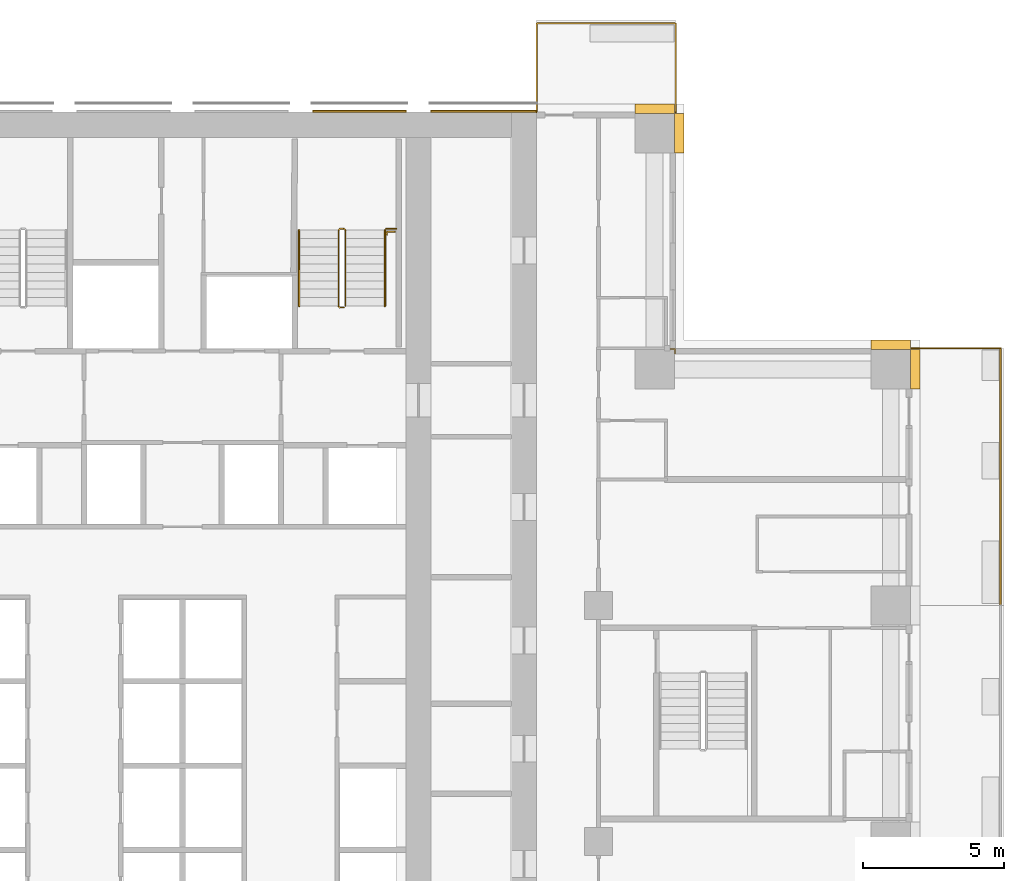
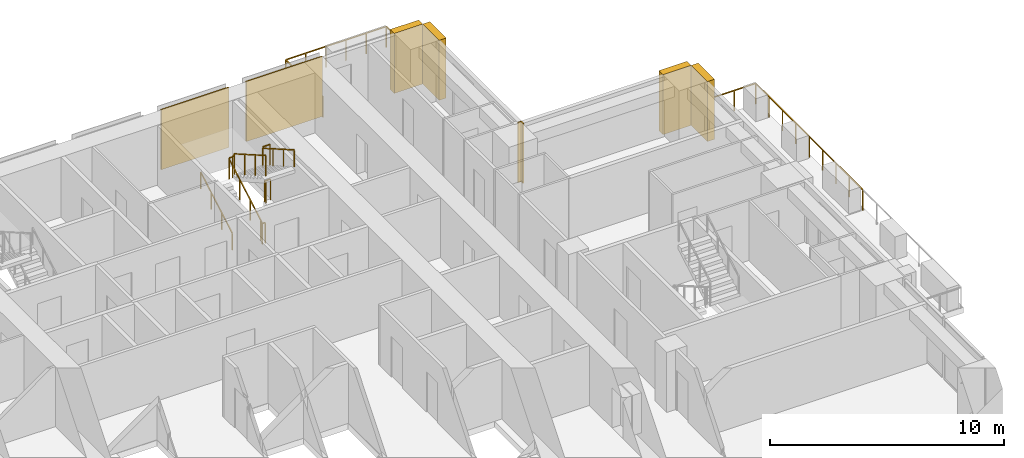
# One storey, part 17 of 17: 7 coverings, 7 railings.
"""IFC4 building model written with IfcOpenShell, lengths in metres."""

from ifc_helpers import new_model, si_unit, direction, frame, origin, origin_2d, place, context, subcontext, project, spatial, polyline, rectangle, outline, extrude, material, type_object, element, save


model = new_model("IFC4")

# Units and contexts
model_context = context("Model", 3, precision=1e-05, world=origin(), true_north=direction((0.0, 1.0)))
body_context = subcontext(model_context, "Body", "Model", "MODEL_VIEW")
ifc_project = project(units=[si_unit("LENGTHUNIT", "METRE"), si_unit("AREAUNIT", "SQUARE_METRE"), si_unit("VOLUMEUNIT", "CUBIC_METRE"), si_unit("PLANEANGLEUNIT", "RADIAN"), si_unit("MASSUNIT", "GRAM", prefix="KILO")], contexts=[model_context])

# Site, building, storey
site_placement = place(None, origin())
site = spatial("IfcSite", under=ifc_project, at=site_placement, CompositionType="ELEMENT")
building_placement = place(site_placement, origin())
building = spatial("IfcBuilding", under=site, at=building_placement, Name="Vermilion Ogive Tower", CompositionType="ELEMENT")
storey_placement = place(building_placement, frame((0.0, 0.0, 58.64990234375)))
storey = spatial("IfcBuildingStorey", under=building, at=storey_placement, Name="L13", CompositionType="ELEMENT", Elevation=58.64990234375)

# Railings
ifc_material_1 = material(Name="Stainless steel and glass", Category="steel")
railing_type_1 = type_object("IfcRailingType", Name="Balcony guard", PredefinedType="GUARDRAIL", material=ifc_material_1)
railing_1_placement = place(storey_placement, frame((29.110107421875, 4.199951171875, -0.039794921875)))
element("IfcRailing", 1, at=railing_1_placement, inside=storey, type_object=railing_type_1, Name="Guard E03", PredefinedType="GUARDRAIL", context=body_context, shape_type="SweptSolid", body=[
    extrude(rectangle(XDim=0.048095703125, YDim=0.048095703125, at=origin_2d()), frame((0.0, 0.0, 1.076171875), z_axis=(0.0, 1.0, 0.0), x_axis=(-1.0, 0.0, 0.0)), (0.0, 0.0, 1.0), 9.150146484375),
    extrude(rectangle(XDim=0.048095703125, YDim=0.048095703125, at=origin_2d()), frame((0.0, 9.150146484375, 1.076171875), z_axis=(-1.0, 0.0, 0.0), x_axis=(0.0, -1.0, 0.0)), (0.0, 0.0, 1.0), 3.16015625),
    extrude(rectangle(XDim=0.0419921875, YDim=0.0419921875, at=origin_2d()), origin(), (0.0, 0.0, 1.0), 1.052001953125),
    extrude(rectangle(XDim=0.0419921875, YDim=0.0419921875, at=origin_2d()), frame((0.0, 1.143798828125, 0.0)), (0.0, 0.0, 1.0), 1.052001953125),
    extrude(rectangle(XDim=0.0419921875, YDim=0.0419921875, at=origin_2d()), frame((0.0, 2.28759765625, 0.0)), (0.0, 0.0, 1.0), 1.052001953125),
    extrude(rectangle(XDim=0.0419921875, YDim=0.0419921875, at=origin_2d()), frame((0.0, 3.431396484375, 0.0)), (0.0, 0.0, 1.0), 1.052001953125),
    extrude(rectangle(XDim=0.0419921875, YDim=0.0419921875, at=origin_2d()), frame((0.0, 4.5751953125, 0.0)), (0.0, 0.0, 1.0), 1.052001953125),
    extrude(rectangle(XDim=0.0419921875, YDim=0.0419921875, at=origin_2d()), frame((0.0, 5.71875, 0.0)), (0.0, 0.0, 1.0), 1.052001953125),
    extrude(rectangle(XDim=0.0419921875, YDim=0.0419921875, at=origin_2d()), frame((0.0, 6.862548828125, 0.0)), (0.0, 0.0, 1.0), 1.052001953125),
    extrude(rectangle(XDim=0.0419921875, YDim=0.0419921875, at=origin_2d()), frame((0.0, 8.00634765625, 0.0)), (0.0, 0.0, 1.0), 1.052001953125),
    extrude(rectangle(XDim=0.0419921875, YDim=0.0419921875, at=origin_2d()), frame((0.0, 9.150146484375, 0.0)), (0.0, 0.0, 1.0), 1.052001953125),
    extrude(rectangle(XDim=0.0419921875, YDim=0.0419921875, at=origin_2d()), frame((-1.053466796875, 9.150146484375, 0.0)), (0.0, 0.0, 1.0), 1.052001953125),
    extrude(rectangle(XDim=0.0419921875, YDim=0.0419921875, at=origin_2d()), frame((-2.106689453125, 9.150146484375, 0.0)), (0.0, 0.0, 1.0), 1.052001953125),
    extrude(rectangle(XDim=0.0419921875, YDim=0.0419921875, at=origin_2d()), frame((-3.16015625, 9.150146484375, 0.0)), (0.0, 0.0, 1.0), 1.052001953125),
])
railing_2_placement = place(storey_placement, frame((17.550048828125, 21.75, -0.039794921875)))
element("IfcRailing", 2, at=railing_2_placement, inside=storey, type_object=railing_type_1, Name="Guard N101", PredefinedType="GUARDRAIL", context=body_context, shape_type="SweptSolid", body=[
    extrude(rectangle(XDim=0.048095703125, YDim=0.048095703125, at=origin_2d()), frame((0.0, 0.0, 1.076171875), z_axis=(0.0, 1.0, 0.0), x_axis=(-1.0, 0.0, 0.0)), (0.0, 0.0, 1.0), 3.159912109375),
    extrude(rectangle(XDim=0.048095703125, YDim=0.048095703125, at=origin_2d()), frame((0.0, 3.159912109375, 1.076171875), z_axis=(-1.0, 0.0, 0.0), x_axis=(0.0, -1.0, 0.0)), (0.0, 0.0, 1.0), 4.949951171875),
    extrude(rectangle(XDim=0.048095703125, YDim=0.048095703125, at=origin_2d()), frame((-4.949951171875, 3.159912109375, 1.076171875), z_axis=(0.0, -1.0, 0.0), x_axis=(1.0, 0.0, 0.0)), (0.0, 0.0, 1.0), 3.159912109375),
    extrude(rectangle(XDim=0.0419921875, YDim=0.0419921875, at=origin_2d()), origin(), (0.0, 0.0, 1.0), 1.052001953125),
    extrude(rectangle(XDim=0.0419921875, YDim=0.0419921875, at=origin_2d()), frame((0.0, 1.05322265625, 0.0)), (0.0, 0.0, 1.0), 1.052001953125),
    extrude(rectangle(XDim=0.0419921875, YDim=0.0419921875, at=origin_2d()), frame((0.0, 2.106689453125, 0.0)), (0.0, 0.0, 1.0), 1.052001953125),
    extrude(rectangle(XDim=0.0419921875, YDim=0.0419921875, at=origin_2d()), frame((0.0, 3.159912109375, 0.0)), (0.0, 0.0, 1.0), 1.052001953125),
    extrude(rectangle(XDim=0.0419921875, YDim=0.0419921875, at=origin_2d()), frame((-0.989990234375, 3.159912109375, 0.0)), (0.0, 0.0, 1.0), 1.052001953125),
    extrude(rectangle(XDim=0.0419921875, YDim=0.0419921875, at=origin_2d()), frame((-1.97998046875, 3.159912109375, 0.0)), (0.0, 0.0, 1.0), 1.052001953125),
    extrude(rectangle(XDim=0.0419921875, YDim=0.0419921875, at=origin_2d()), frame((-2.969970703125, 3.159912109375, 0.0)), (0.0, 0.0, 1.0), 1.052001953125),
    extrude(rectangle(XDim=0.0419921875, YDim=0.0419921875, at=origin_2d()), frame((-3.9599609375, 3.159912109375, 0.0)), (0.0, 0.0, 1.0), 1.052001953125),
    extrude(rectangle(XDim=0.0419921875, YDim=0.0419921875, at=origin_2d()), frame((-4.949951171875, 3.159912109375, 0.0)), (0.0, 0.0, 1.0), 1.052001953125),
    extrude(rectangle(XDim=0.0419921875, YDim=0.0419921875, at=origin_2d()), frame((-4.949951171875, 2.106689453125, 0.0)), (0.0, 0.0, 1.0), 1.052001953125),
    extrude(rectangle(XDim=0.0419921875, YDim=0.0419921875, at=origin_2d()), frame((-4.949951171875, 1.05322265625, 0.0)), (0.0, 0.0, 1.0), 1.052001953125),
    extrude(rectangle(XDim=0.0419921875, YDim=0.0419921875, at=origin_2d()), frame((-4.949951171875, 0.0, 0.0)), (0.0, 0.0, 1.0), 1.052001953125),
])
ifc_material_2 = material(Name="Steel S355 painted", Category="steel")
railing_type_2 = type_object("IfcRailingType", Name="Stair guard 1100", PredefinedType="GUARDRAIL", material=ifc_material_2)
railing_3_placement = place(storey_placement, frame((5.75, 14.800048828125, 0.0)))
element("IfcRailing", 3, at=railing_3_placement, inside=storey, type_object=railing_type_2, Name="L13 ST2 stair guard 4", PredefinedType="GUARDRAIL", context=body_context, shape_type="SweptSolid", body=[
    extrude(rectangle(XDim=0.048095703125, YDim=0.048095703125, at=origin_2d()), frame((0.0, 0.0, 1.076171875), z_axis=(-1.0, 0.0, 0.0), x_axis=(0.0, -1.0, 0.0)), (0.0, 0.0, 1.0), 0.14990234375),
    extrude(rectangle(XDim=0.048095703125, YDim=0.048095703125, at=origin_2d()), frame((-0.14990234375, 0.0, 1.076171875), z_axis=(-0.268277960024, 0.268277960024, 0.925231793839), x_axis=(-0.707106781187, -0.707106781187, 0.0)), (0.0, 0.0, 1.0), 0.1865234375),
    extrude(rectangle(XDim=0.048095703125, YDim=0.048095703125, at=origin_2d()), frame((-0.199951171875, 0.050048828125, 1.24853515625), z_axis=(0.0, 0.866903762492, 0.498475542607), x_axis=(-1.0, 0.0, 0.0)), (0.0, 0.0, 1.0), 3.114501953125),
    extrude(rectangle(XDim=0.048095703125, YDim=0.048095703125, at=origin_2d()), frame((-0.199951171875, 2.75, 2.80126953125), z_axis=(0.707106781187, 0.707106781187, 0.0), x_axis=(-0.707106781187, 0.707106781187, 0.0)), (0.0, 0.0, 1.0), 0.07080078125),
    extrude(rectangle(XDim=0.048095703125, YDim=0.048095703125, at=origin_2d()), frame((-0.14990234375, 2.800048828125, 2.80126953125), z_axis=(1.0, 0.0, 0.0), x_axis=(0.0, 1.0, 0.0)), (0.0, 0.0, 1.0), 0.14990234375),
    extrude(rectangle(XDim=0.048095703125, YDim=0.048095703125, at=origin_2d()), frame((0.0, 2.800048828125, 2.80126953125), z_axis=(0.268277960024, -0.268277960024, 0.925231793839), x_axis=(0.707106781187, 0.707106781187, 0.0)), (0.0, 0.0, 1.0), 0.1865234375),
    extrude(rectangle(XDim=0.048095703125, YDim=0.048095703125, at=origin_2d()), frame((0.050048828125, 2.75, 2.9736328125), z_axis=(0.0, -0.866903762492, 0.498475542607), x_axis=(1.0, 0.0, 0.0)), (0.0, 0.0, 1.0), 3.114501953125),
    extrude(rectangle(XDim=0.0419921875, YDim=0.0419921875, at=origin_2d()), origin(), (0.0, 0.0, 1.0), 1.052001953125),
    extrude(rectangle(XDim=0.0419921875, YDim=0.0419921875, at=origin_2d()), frame((-0.14990234375, 0.0, 0.0)), (0.0, 0.0, 1.0), 1.052001953125),
    extrude(rectangle(XDim=0.0419921875, YDim=0.0419921875, at=origin_2d()), frame((-0.199951171875, 0.050048828125, 0.172607421875)), (0.0, 0.0, 1.0), 1.052001953125),
    extrude(rectangle(XDim=0.0419921875, YDim=0.0419921875, at=origin_2d()), frame((-0.199951171875, 0.949951171875, 0.690185546875)), (0.0, 0.0, 1.0), 1.052001953125),
    extrude(rectangle(XDim=0.0419921875, YDim=0.0419921875, at=origin_2d()), frame((-0.199951171875, 1.85009765625, 1.20751953125)), (0.0, 0.0, 1.0), 1.052001953125),
    extrude(rectangle(XDim=0.0419921875, YDim=0.0419921875, at=origin_2d()), frame((-0.199951171875, 2.75, 1.72509765625)), (0.0, 0.0, 1.0), 1.052001953125),
    extrude(rectangle(XDim=0.0419921875, YDim=0.0419921875, at=origin_2d()), frame((-0.14990234375, 2.800048828125, 1.72509765625)), (0.0, 0.0, 1.0), 1.052001953125),
    extrude(rectangle(XDim=0.0419921875, YDim=0.0419921875, at=origin_2d()), frame((0.0, 2.800048828125, 1.72509765625)), (0.0, 0.0, 1.0), 1.052001953125),
    extrude(rectangle(XDim=0.0419921875, YDim=0.0419921875, at=origin_2d()), frame((0.050048828125, 2.75, 1.897705078125)), (0.0, 0.0, 1.0), 1.052001953125),
    extrude(rectangle(XDim=0.0419921875, YDim=0.0419921875, at=origin_2d()), frame((0.050048828125, 1.85009765625, 2.415283203125)), (0.0, 0.0, 1.0), 1.052001953125),
    extrude(rectangle(XDim=0.0419921875, YDim=0.0419921875, at=origin_2d()), frame((0.050048828125, 0.949951171875, 2.9326171875)), (0.0, 0.0, 1.0), 1.052001953125),
    extrude(rectangle(XDim=0.0419921875, YDim=0.0419921875, at=origin_2d()), frame((0.050048828125, 0.050048828125, 3.4501953125)), (0.0, 0.0, 1.0), 1.052001953125),
])
railing_4_placement = place(storey_placement, frame((7.25, 17.60009765625, 1.72509765625)))
element("IfcRailing", 4, at=railing_4_placement, inside=storey, type_object=railing_type_2, Name="L13 landing guard", PredefinedType="GUARDRAIL", context=body_context, shape_type="SweptSolid", body=[
    extrude(rectangle(XDim=0.048095703125, YDim=0.048095703125, at=origin_2d()), frame((0.0, 0.0, 1.076171875), z_axis=(1.0, 0.0, 0.0), x_axis=(0.0, 1.0, 0.0)), (0.0, 0.0, 1.0), 0.35009765625),
    extrude(rectangle(XDim=0.0419921875, YDim=0.0419921875, at=origin_2d()), origin(), (0.0, 0.0, 1.0), 1.052001953125),
    extrude(rectangle(XDim=0.0419921875, YDim=0.0419921875, at=origin_2d()), frame((0.35009765625, 0.0, 0.0)), (0.0, 0.0, 1.0), 1.052001953125),
])
railing_5_placement = place(storey_placement, frame((7.27294921875, 17.37451171875, 0.0)))
element("IfcRailing", 5, at=railing_5_placement, inside=storey, type_object=railing_type_2, Name="L13 stair opening guard", PredefinedType="GUARDRAIL", context=body_context, shape_type="SweptSolid", body=[
    extrude(rectangle(XDim=0.048095703125, YDim=0.048095703125, at=origin_2d()), frame((0.0, 0.0, 1.076171875), z_axis=(0.0, 1.0, 0.0), x_axis=(-1.0, 0.0, 0.0)), (0.0, 0.0, 1.0), 0.1201171875),
    extrude(rectangle(XDim=0.048095703125, YDim=0.048095703125, at=origin_2d()), frame((0.0, 0.1201171875, 1.076171875), z_axis=(1.0, 0.0, 0.0), x_axis=(0.0, 1.0, 0.0)), (0.0, 0.0, 1.0), 0.2900390625),
    extrude(rectangle(XDim=0.0419921875, YDim=0.0419921875, at=origin_2d()), origin(), (0.0, 0.0, 1.0), 1.052001953125),
    extrude(rectangle(XDim=0.0419921875, YDim=0.0419921875, at=origin_2d()), frame((0.0, 0.1201171875, 0.0)), (0.0, 0.0, 1.0), 1.052001953125),
    extrude(rectangle(XDim=0.0419921875, YDim=0.0419921875, at=origin_2d()), frame((0.2900390625, 0.1201171875, 0.0)), (0.0, 0.0, 1.0), 1.052001953125),
])
ifc_material_3 = material(Name="Stainless steel", Category="steel")
railing_type_3 = type_object("IfcRailingType", Name="Stair handrail 900", PredefinedType="HANDRAIL", material=ifc_material_3)
railing_6_placement = place(storey_placement, frame((4.14990234375, 14.85009765625, 0.172607421875)))
element("IfcRailing", 6, at=railing_6_placement, inside=storey, type_object=railing_type_3, Name="L13 ST2 stair handrail 1", PredefinedType="HANDRAIL", context=body_context, shape_type="SweptSolid", body=[
    extrude(rectangle(XDim=0.048095703125, YDim=0.048095703125, at=origin_2d()), frame((0.0, 0.0, 0.8759765625), z_axis=(0.0, 0.866903762492, 0.498475542607), x_axis=(-1.0, 0.0, 0.0)), (0.0, 0.0, 1.0), 3.114501953125),
    extrude(rectangle(XDim=0.0419921875, YDim=0.0419921875, at=origin_2d()), origin(), (0.0, 0.0, 1.0), 0.851806640625),
    extrude(rectangle(XDim=0.0419921875, YDim=0.0419921875, at=origin_2d()), frame((0.0, 0.89990234375, 0.517578125)), (0.0, 0.0, 1.0), 0.851806640625),
    extrude(rectangle(XDim=0.0419921875, YDim=0.0419921875, at=origin_2d()), frame((0.0, 1.800048828125, 1.034912109375)), (0.0, 0.0, 1.0), 0.851806640625),
    extrude(rectangle(XDim=0.0419921875, YDim=0.0419921875, at=origin_2d()), frame((0.0, 2.699951171875, 1.552490234375)), (0.0, 0.0, 1.0), 0.851806640625),
])
railing_7_placement = place(storey_placement, frame((7.199951171875, 17.550048828125, 1.897705078125)))
element("IfcRailing", 7, at=railing_7_placement, inside=storey, type_object=railing_type_3, Name="L13 ST2 stair handrail 2", PredefinedType="HANDRAIL", context=body_context, shape_type="SweptSolid", body=[
    extrude(rectangle(XDim=0.048095703125, YDim=0.048095703125, at=origin_2d()), frame((0.0, 0.0, 0.8759765625), z_axis=(0.0, -0.866903762492, 0.498475542607), x_axis=(1.0, 0.0, 0.0)), (0.0, 0.0, 1.0), 3.114501953125),
    extrude(rectangle(XDim=0.0419921875, YDim=0.0419921875, at=origin_2d()), origin(), (0.0, 0.0, 1.0), 0.851806640625),
    extrude(rectangle(XDim=0.0419921875, YDim=0.0419921875, at=origin_2d()), frame((0.0, -0.89990234375, 0.517578125)), (0.0, 0.0, 1.0), 0.851806640625),
    extrude(rectangle(XDim=0.0419921875, YDim=0.0419921875, at=origin_2d()), frame((0.0, -1.800048828125, 1.034912109375)), (0.0, 0.0, 1.0), 0.851806640625),
    extrude(rectangle(XDim=0.0419921875, YDim=0.0419921875, at=origin_2d()), frame((0.0, -2.699951171875, 1.552490234375)), (0.0, 0.0, 1.0), 0.851806640625),
])

# Coverings
ifc_material_4 = material(Name="Stone cladding", Category="masonry")
covering_type_1 = type_object("IfcCoveringType", Name="Stone cladding panel", PredefinedType="CLADDING", material=ifc_material_4)
covering_1_placement = place(storey_placement, origin())
element("IfcCovering", 8, at=covering_1_placement, inside=storey, type_object=covering_type_1, Name="Stone cladding panel N5", PredefinedType="CLADDING", context=body_context, shape_type="SweptSolid", body=[
    extrude(outline(polyline([(4.6298828125, 21.75), (7.969970703125, 21.75), (7.969970703125, 21.81005859375), (4.6298828125, 21.81005859375), (4.6298828125, 21.75)])), origin(), (0.0, 0.0, 1.0), 3.130126953125),
])
covering_2_placement = place(storey_placement, origin())
element("IfcCovering", 9, at=covering_2_placement, inside=storey, type_object=covering_type_1, Name="Stone cladding panel N6", PredefinedType="CLADDING", context=body_context, shape_type="SweptSolid", body=[
    extrude(outline(polyline([(8.830078125, 21.75), (12.590087890625, 21.75), (12.590087890625, 21.81005859375), (8.830078125, 21.81005859375), (8.830078125, 21.75)])), origin(), (0.0, 0.0, 1.0), 3.130126953125),
])
ifc_material_5 = material(Name="Stone cladding", Category="masonry")
covering_type_2 = type_object("IfcCoveringType", Name="Stone pier", PredefinedType="CLADDING", material=ifc_material_5)
covering_3_placement = place(storey_placement, origin())
element("IfcCovering", 10, at=covering_3_placement, inside=storey, type_object=covering_type_2, Name="Stone corner pier X3E1", PredefinedType="CLADDING", context=body_context, shape_type="SweptSolid", body=[
    extrude(outline(polyline([(17.5, 13.14990234375), (17.5, 13.300048828125), (17.35009765625, 13.300048828125), (17.35009765625, 13.35009765625), (17.550048828125, 13.35009765625), (17.550048828125, 13.14990234375), (17.5, 13.14990234375)])), origin(), (0.0, 0.0, 1.0), 3.130126953125),
])
covering_4_placement = place(storey_placement, origin())
element("IfcCovering", 11, at=covering_4_placement, inside=storey, type_object=covering_type_2, Name="Stone pier P+0168+210X4", PredefinedType="CLADDING", context=body_context, shape_type="SweptSolid", body=[
    extrude(outline(polyline([(17.85009765625, 21.699951171875), (17.85009765625, 20.300048828125), (17.5, 20.300048828125), (17.5, 21.699951171875), (17.85009765625, 21.699951171875)])), origin(), (0.0, 0.0, 1.0), 3.130126953125),
])
covering_5_placement = place(storey_placement, origin())
element("IfcCovering", 12, at=covering_5_placement, inside=storey, type_object=covering_type_2, Name="Stone pier P+0168+210N1", PredefinedType="CLADDING", context=body_context, shape_type="SweptSolid", body=[
    extrude(outline(polyline([(17.5, 22.050048828125), (17.5, 21.699951171875), (16.10009765625, 21.699951171875), (16.10009765625, 22.050048828125), (17.5, 22.050048828125)])), origin(), (0.0, 0.0, 1.0), 3.130126953125),
])
covering_6_placement = place(storey_placement, origin())
element("IfcCovering", 13, at=covering_6_placement, inside=storey, type_object=covering_type_2, Name="Stone pier P+0252+126E", PredefinedType="CLADDING", context=body_context, shape_type="SweptSolid", body=[
    extrude(outline(polyline([(26.25, 13.300048828125), (26.25, 11.89990234375), (25.89990234375, 11.89990234375), (25.89990234375, 13.300048828125), (26.25, 13.300048828125)])), origin(), (0.0, 0.0, 1.0), 3.130126953125),
])
covering_7_placement = place(storey_placement, origin())
element("IfcCovering", 14, at=covering_7_placement, inside=storey, type_object=covering_type_2, Name="Stone pier P+0252+126X3", PredefinedType="CLADDING", context=body_context, shape_type="SweptSolid", body=[
    extrude(outline(polyline([(25.89990234375, 13.64990234375), (25.89990234375, 13.300048828125), (24.5, 13.300048828125), (24.5, 13.64990234375), (25.89990234375, 13.64990234375)])), origin(), (0.0, 0.0, 1.0), 3.130126953125),
])

save(model, "model.ifc")
